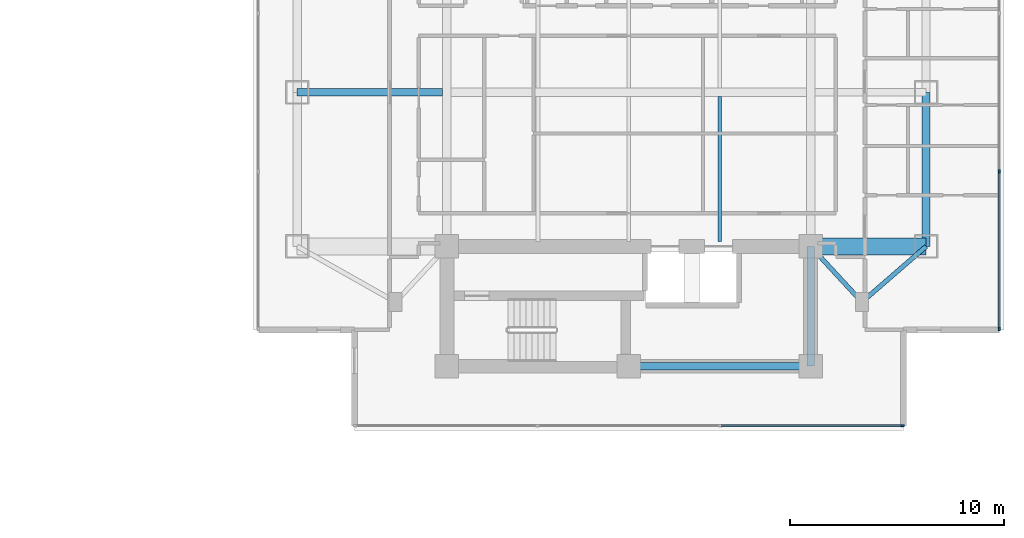
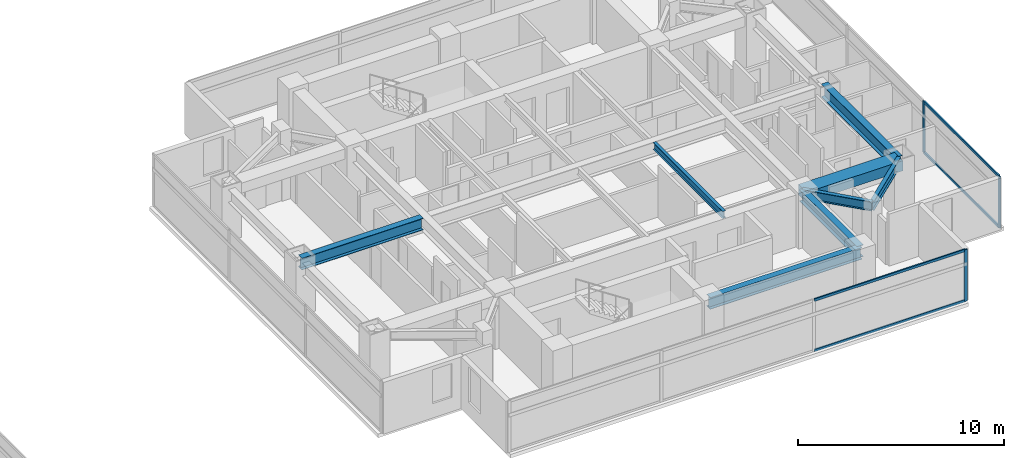
# One storey, part 10 of 27: 8 beams, 7 members, 2 elements without a shape of their own.
"""IFC4 building model written with IfcOpenShell, lengths in metres."""

from ifc_helpers import new_model, si_unit, direction, frame, origin, origin_2d, place, context, subcontext, project, spatial, rectangle, i_section, extrude, material, material_profile, profile_set, type_object, element, aggregate, save


model = new_model("IFC4")

# Units and contexts
model_context = context("Model", 3, precision=1e-05, world=origin(), true_north=direction((0.0, 1.0)))
body_context = subcontext(model_context, "Body", "Model", "MODEL_VIEW")
ifc_project = project(units=[si_unit("LENGTHUNIT", "METRE"), si_unit("AREAUNIT", "SQUARE_METRE"), si_unit("VOLUMEUNIT", "CUBIC_METRE"), si_unit("PLANEANGLEUNIT", "RADIAN"), si_unit("MASSUNIT", "GRAM", prefix="KILO")], contexts=[model_context])

# Site, building, storey
site_placement = place(None, origin())
site = spatial("IfcSite", under=ifc_project, at=site_placement, CompositionType="ELEMENT")
building_placement = place(site_placement, origin())
building = spatial("IfcBuilding", under=site, at=building_placement, Name="Mirazonda Arch Towers", CompositionType="ELEMENT")
storey_placement = place(building_placement, frame((0.0, 0.0, 124.699951171875)))
storey = spatial("IfcBuildingStorey", under=building, at=storey_placement, Name="L35", CompositionType="ELEMENT", Elevation=124.699951171875)

# Beams
ifc_material_1 = material(Name="Steel ASTM A992 Grade 50", Category="steel")
ifc_material_profile_1 = material_profile(ifc_material_1, i_section(OverallWidth=0.381103515625, OverallDepth=0.77294921875, WebThickness=0.0166015625, FlangeThickness=0.027099609375, at=origin_2d()), Name="W30X173")
ifc_profile_set_1 = profile_set([ifc_material_profile_1], Name="Steel ASTM A992 Grade 50")
beam_type_1 = type_object("IfcBeamType", Name="BM-EXT-W30X173", PredefinedType="USERDEFINED", material=ifc_profile_set_1)
beam_1_placement = place(storey_placement, frame((90.39990234375, 20.800048828125, 2.693603515625), z_axis=(0.0, 1.0, 0.0), x_axis=(-1.0, 0.0, 0.0)))
element("IfcBeam", 1, at=beam_1_placement, inside=storey, type_object=beam_type_1, Name="L35 Floor Beam BM-T2-L35-NS-E-20", ObjectType="GIRDER", PredefinedType="USERDEFINED", context=body_context, shape_type="SweptSolid", body=[
    extrude(i_section(OverallWidth=0.381103515625, OverallDepth=0.77294921875, WebThickness=0.0166015625, FlangeThickness=0.027099609375, at=origin_2d()), origin(), (0.0, 0.0, 1.0), 7.199951171875),
])
ifc_material_profile_2 = material_profile(ifc_material_1, i_section(OverallWidth=0.180908203125, OverallDepth=0.4169921875, WebThickness=0.010986328125, FlangeThickness=0.018310546875, at=origin_2d()), Name="W16X57")
ifc_profile_set_2 = profile_set([ifc_material_profile_2], Name="Steel ASTM A992 Grade 50")
beam_type_2 = type_object("IfcBeamType", Name="BM-INT-W16X57", PredefinedType="JOIST", material=ifc_profile_set_2)
beam_2_placement = place(storey_placement, frame((80.75, 21.0400390625, 2.87158203125), z_axis=(0.0, 1.0, 0.0), x_axis=(-1.0, 0.0, 0.0)))
element("IfcBeam", 2, at=beam_2_placement, inside=storey, type_object=beam_type_2, Name="L35 Floor Beam BM-T2-L35-J-807-20", PredefinedType="JOIST", context=body_context, shape_type="SweptSolid", body=[
    extrude(i_section(OverallWidth=0.180908203125, OverallDepth=0.4169921875, WebThickness=0.010986328125, FlangeThickness=0.018310546875, at=origin_2d()), origin(), (0.0, 0.0, 1.0), 6.763916015625),
])
ifc_material_profile_3 = material_profile(ifc_material_1, i_section(OverallWidth=0.214111328125, OverallDepth=0.549072265625, WebThickness=0.0146484375, FlangeThickness=0.023681640625, at=origin_2d()), Name="W21X93")
ifc_profile_set_3 = profile_set([ifc_material_profile_3], Name="Steel ASTM A992 Grade 50")
beam_type_3 = type_object("IfcBeamType", Name="BM-INT-W21X93", PredefinedType="BEAM", material=ifc_profile_set_3)
beam_3_placement = place(storey_placement, frame((87.39990234375, 18.199951171875, 2.8056640625), z_axis=(-0.678251444854, 0.734829897019, 0.0), x_axis=(-0.734829897019, -0.678251444854, 0.0)))
element("IfcBeam", 3, at=beam_3_placement, inside=storey, type_object=beam_type_3, Name="L35 Floor Beam BM-T2-L35-PL-SE1", PredefinedType="BEAM", context=body_context, shape_type="SweptSolid", body=[
    extrude(i_section(OverallWidth=0.214111328125, OverallDepth=0.549072265625, WebThickness=0.0146484375, FlangeThickness=0.023681640625, at=origin_2d()), origin(), (0.0, 0.0, 1.0), 3.538330078125),
])
beam_4_placement = place(storey_placement, frame((87.39990234375, 18.199951171875, 2.8056640625), z_axis=(0.755676908098, 0.654944585876, 0.0), x_axis=(-0.654944585876, 0.755676908098, 0.0)))
element("IfcBeam", 4, at=beam_4_placement, inside=storey, type_object=beam_type_3, Name="L35 Floor Beam BM-T2-L35-PL-SE2", PredefinedType="BEAM", context=body_context, shape_type="SweptSolid", body=[
    extrude(i_section(OverallWidth=0.214111328125, OverallDepth=0.549072265625, WebThickness=0.0146484375, FlangeThickness=0.023681640625, at=origin_2d()), origin(), (0.0, 0.0, 1.0), 3.969970703125),
])
ifc_material_profile_4 = material_profile(ifc_material_1, i_section(OverallWidth=0.35498046875, OverallDepth=0.696044921875, WebThickness=0.015380859375, FlangeThickness=0.02490234375, at=origin_2d()), Name="W27X146")
ifc_profile_set_4 = profile_set([ifc_material_profile_4], Name="Steel ASTM A992 Grade 50")
beam_type_4 = type_object("IfcBeamType", Name="BM-INT-W27X146", PredefinedType="BEAM", material=ifc_profile_set_4)
beam_5_placement = place(storey_placement, frame((76.5, 15.199951171875, 2.73193359375), z_axis=(1.0, 0.0, 0.0), x_axis=(0.0, 1.0, 0.0)))
element("IfcBeam", 5, at=beam_5_placement, inside=storey, type_object=beam_type_4, Name="L35 Floor Beam BM-T2-L35-CS2", PredefinedType="BEAM", context=body_context, shape_type="SweptSolid", body=[
    extrude(i_section(OverallWidth=0.35498046875, OverallDepth=0.696044921875, WebThickness=0.015380859375, FlangeThickness=0.02490234375, at=origin_2d()), origin(), (0.0, 0.0, 1.0), 8.5),
])
beam_6_placement = place(storey_placement, frame((85.0, 15.199951171875, 2.73193359375), z_axis=(0.0, 1.0, 0.0), x_axis=(-1.0, 0.0, 0.0)))
element("IfcBeam", 6, at=beam_6_placement, inside=storey, type_object=beam_type_4, Name="L35 Floor Beam BM-T2-L35-CSE", PredefinedType="BEAM", context=body_context, shape_type="SweptSolid", body=[
    extrude(i_section(OverallWidth=0.35498046875, OverallDepth=0.696044921875, WebThickness=0.015380859375, FlangeThickness=0.02490234375, at=origin_2d()), origin(), (0.0, 0.0, 1.0), 5.60009765625),
])
beam_7_placement = place(storey_placement, frame((61.0, 28.0, 2.73193359375), z_axis=(1.0, 0.0, 0.0), x_axis=(0.0, 1.0, 0.0)))
element("IfcBeam", 7, at=beam_7_placement, inside=storey, type_object=beam_type_4, Name="L35 Floor Beam BM-T2-L35-GW2", PredefinedType="BEAM", context=body_context, shape_type="SweptSolid", body=[
    extrude(i_section(OverallWidth=0.35498046875, OverallDepth=0.696044921875, WebThickness=0.015380859375, FlangeThickness=0.02490234375, at=origin_2d()), origin(), (0.0, 0.0, 1.0), 6.800048828125),
])
ifc_material_2 = material(Name="Concrete C60/75", Category="concrete")
ifc_material_profile_5 = material_profile(ifc_material_2, rectangle(XDim=0.800048828125, YDim=0.60009765625, at=origin_2d()), Name="RCCB800x600")
ifc_profile_set_5 = profile_set([ifc_material_profile_5], Name="Concrete C60/75")
beam_type_5 = type_object("IfcBeamType", Name="CB-INT-RCCB800x600", PredefinedType="SPANDREL", material=ifc_profile_set_5)
beam_8_placement = place(storey_placement, frame((85.0, 20.800048828125, 2.780029296875), z_axis=(1.0, 0.0, 0.0), x_axis=(0.0, 1.0, 0.0)))
element("IfcBeam", 8, at=beam_8_placement, inside=storey, type_object=beam_type_5, Name="L35 Floor Beam CBC-T2-L35-SE", PredefinedType="SPANDREL", context=body_context, shape_type="SweptSolid", body=[
    extrude(rectangle(XDim=0.800048828125, YDim=0.60009765625, at=origin_2d()), origin(), (0.0, 0.0, 1.0), 5.39990234375),
])

# Curtain wall, member
ifc_material_3 = material(Name="Anodised Aluminium and Low-E Glass", Category="aluminium")
curtain_wall_type = type_object("IfcCurtainWallType", Name="CW-HTL-UNIT", PredefinedType="NOTDEFINED", material=ifc_material_3)
curtain_wall_1_placement = place(storey_placement, origin())
curtain_wall_1 = element("IfcCurtainWall", 9, at=curtain_wall_1_placement, inside=storey, type_object=curtain_wall_type, Name="L35 T2 S Facade CW-L35-T2-S", PredefinedType="NOTDEFINED")
ifc_material_4 = material(Name="Anodised Aluminium Alloy", Category="aluminium")
ifc_material_profile_6 = material_profile(ifc_material_4, rectangle(XDim=0.074951171875, YDim=0.1650390625, at=origin_2d()), Name="ALU-MULL-75x165")
ifc_profile_set_6 = profile_set([ifc_material_profile_6], Name="Anodised Aluminium Alloy")
member_type_1 = type_object("IfcMemberType", Name="MULL-CW-HTL-UNIT", PredefinedType="MULLION", material=ifc_profile_set_6)
member_1_placement = place(storey_placement, frame((89.297119140625, 12.414306640625, 0.0), z_axis=(0.0, 0.0, 1.0), x_axis=(0.0, -1.0, 0.0)))
member_1 = element("IfcMember", 10, at=member_1_placement, type_object=member_type_1, Name="CW-112 mullion 1", PredefinedType="MULLION", context=body_context, shape_type="SweptSolid", body=[
    extrude(rectangle(XDim=0.074951171875, YDim=0.1650390625, at=origin_2d()), origin(), (0.0, 0.0, 1.0), 3.06005859375),
])

# Curtain wall, members
curtain_wall_2_placement = place(storey_placement, origin())
curtain_wall_2 = element("IfcCurtainWall", 11, at=curtain_wall_2_placement, inside=storey, type_object=curtain_wall_type, Name="L35 T2 E Facade CW-L35-T2-E", PredefinedType="NOTDEFINED")
member_2_placement = place(storey_placement, frame((93.821044921875, 16.9384765625, 0.0), z_axis=(0.0, 0.0, 1.0), x_axis=(-1.0, 0.0, 0.0)))
member_2 = element("IfcMember", 12, at=member_2_placement, type_object=member_type_1, Name="CW-112 mullion 1", PredefinedType="MULLION", context=body_context, shape_type="SweptSolid", body=[
    extrude(rectangle(XDim=0.074951171875, YDim=0.1650390625, at=origin_2d()), origin(), (0.0, 0.0, 1.0), 3.06005859375),
])
member_3_placement = place(storey_placement, frame((93.821044921875, 24.30029296875, 0.0), z_axis=(0.0, 0.0, 1.0), x_axis=(-1.0, 0.0, 0.0)))
member_3 = element("IfcMember", 13, at=member_3_placement, type_object=member_type_1, Name="CW-112 mullion 2", PredefinedType="MULLION", context=body_context, shape_type="SweptSolid", body=[
    extrude(rectangle(XDim=0.074951171875, YDim=0.1650390625, at=origin_2d()), origin(), (0.0, 0.0, 1.0), 3.06005859375),
])

# Member
ifc_material_profile_7 = material_profile(ifc_material_4, rectangle(XDim=0.074951171875, YDim=0.14501953125, at=origin_2d()), Name="ALU-TRAN-75x145")
ifc_profile_set_7 = profile_set([ifc_material_profile_7], Name="Anodised Aluminium Alloy")
member_type_2 = type_object("IfcMemberType", Name="TRAN-CW-HTL-UNIT", PredefinedType="USERDEFINED", material=ifc_profile_set_7)
member_4_placement = place(storey_placement, frame((89.259521484375, 12.414306640625, 0.03759765625), z_axis=(-1.0, 0.0, 0.0), x_axis=(0.0, -1.0, 0.0)))
member_4 = element("IfcMember", 14, at=member_4_placement, type_object=member_type_2, Name="CW-112 transom 1.1", ObjectType="TRANSOM", PredefinedType="USERDEFINED", context=body_context, shape_type="SweptSolid", body=[
    extrude(rectangle(XDim=0.074951171875, YDim=0.14501953125, at=origin_2d()), origin(), (0.0, 0.0, 1.0), 8.44384765625),
])

member_5_placement = place(storey_placement, frame((89.259521484375, 12.414306640625, 3.0224609375), z_axis=(-1.0, 0.0, 0.0), x_axis=(0.0, -1.0, 0.0)))
member_5 = element("IfcMember", 15, at=member_5_placement, type_object=member_type_2, Name="CW-112 transom 1.2", ObjectType="TRANSOM", PredefinedType="USERDEFINED", context=body_context, shape_type="SweptSolid", body=[
    extrude(rectangle(XDim=0.074951171875, YDim=0.14501953125, at=origin_2d()), origin(), (0.0, 0.0, 1.0), 8.44384765625),
])

aggregate(curtain_wall_1, [member_1, member_4, member_5])

member_6_placement = place(storey_placement, frame((93.821044921875, 16.975830078125, 0.03759765625), z_axis=(0.0, 1.0, 0.0), x_axis=(-1.0, 0.0, 0.0)))
member_6 = element("IfcMember", 16, at=member_6_placement, type_object=member_type_2, Name="CW-112 transom 1.1", ObjectType="TRANSOM", PredefinedType="USERDEFINED", context=body_context, shape_type="SweptSolid", body=[
    extrude(rectangle(XDim=0.074951171875, YDim=0.14501953125, at=origin_2d()), origin(), (0.0, 0.0, 1.0), 7.286865234375),
])

member_7_placement = place(storey_placement, frame((93.821044921875, 16.975830078125, 3.0224609375), z_axis=(0.0, 1.0, 0.0), x_axis=(-1.0, 0.0, 0.0)))
member_7 = element("IfcMember", 17, at=member_7_placement, type_object=member_type_2, Name="CW-112 transom 1.2", ObjectType="TRANSOM", PredefinedType="USERDEFINED", context=body_context, shape_type="SweptSolid", body=[
    extrude(rectangle(XDim=0.074951171875, YDim=0.14501953125, at=origin_2d()), origin(), (0.0, 0.0, 1.0), 7.286865234375),
])

aggregate(curtain_wall_2, [member_2, member_3, member_6, member_7])

save(model, "model.ifc")
